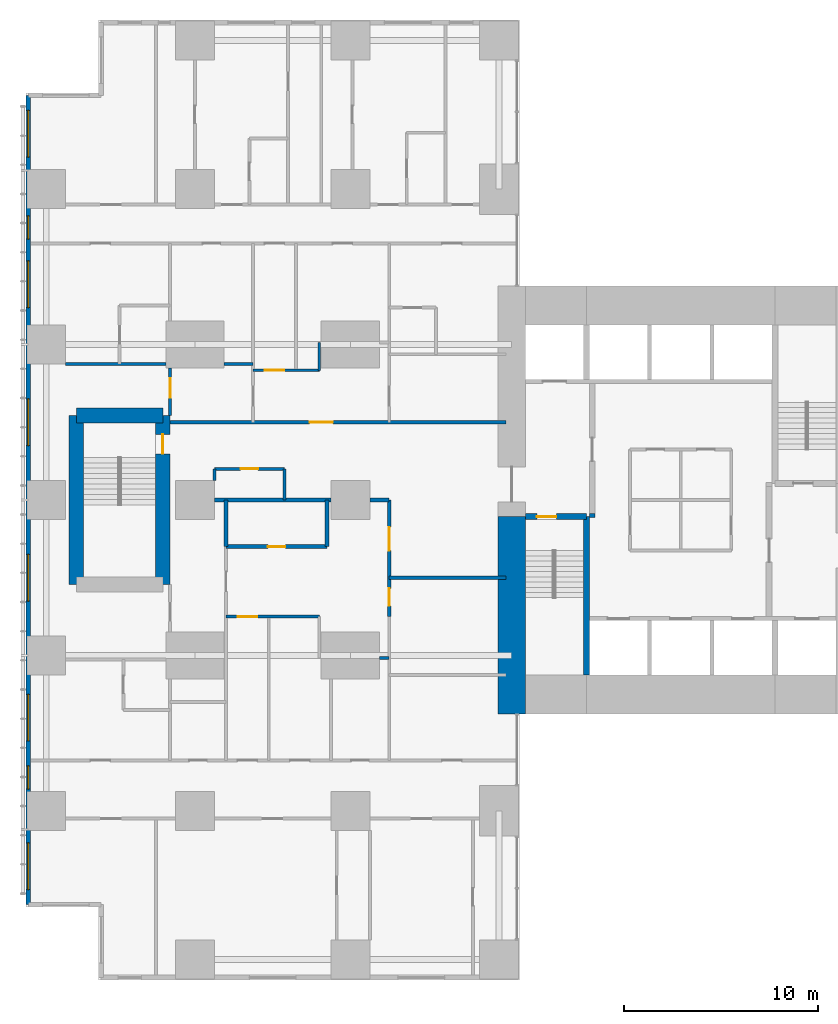
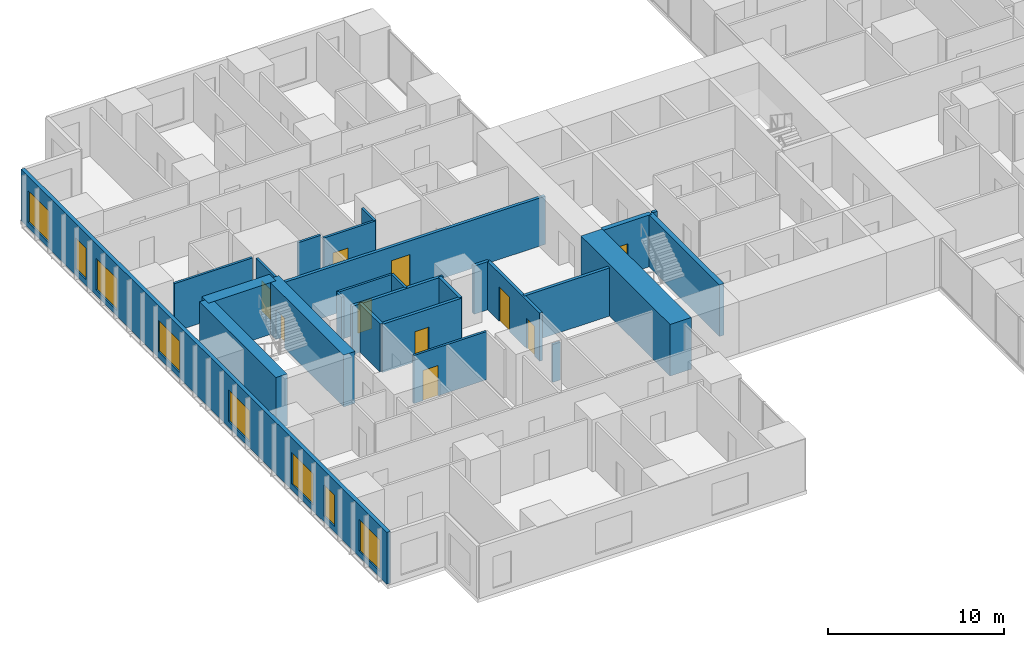
# One storey, part 13 of 20: 26 walls, 10 doors, 8 windows, 18 openings.
"""IFC4 building model written with IfcOpenShell, lengths in metres."""

from ifc_helpers import new_model, si_unit, direction, frame, frame_2d, origin, place, context, subcontext, project, spatial, rectangle, extrude, material, layer, layer_set, type_object, element, fill, save


model = new_model("IFC4")

# Units and contexts
model_context = context("Model", 3, precision=1e-05, world=origin(), true_north=direction((0.0, 1.0)))
body_context = subcontext(model_context, "Body", "Model", "MODEL_VIEW")
ifc_project = project(units=[si_unit("LENGTHUNIT", "METRE"), si_unit("AREAUNIT", "SQUARE_METRE"), si_unit("VOLUMEUNIT", "CUBIC_METRE"), si_unit("PLANEANGLEUNIT", "RADIAN"), si_unit("MASSUNIT", "GRAM", prefix="KILO")], contexts=[model_context])

# Site, building, storey
site_placement = place(None, origin())
site = spatial("IfcSite", under=ifc_project, at=site_placement, CompositionType="ELEMENT")
building_placement = place(site_placement, origin())
building = spatial("IfcBuilding", under=site, at=building_placement, Name="Cleftline Residences", CompositionType="ELEMENT")
storey_placement = place(building_placement, frame((0.0, 0.0, 110.60009765625)))
storey = spatial("IfcBuildingStorey", under=building, at=storey_placement, Name="L28", CompositionType="ELEMENT", Elevation=110.60009765625)

# Walls
ifc_material_1 = material(Name="Concrete B70", Category="concrete")
ifc_layer_1 = layer(ifc_material_1, 1.39990234375)
ifc_layer_set_1 = layer_set([ifc_layer_1], Name="CORE WALL 1400")
wall_type_1 = type_object("IfcWallType", Name="CORE WALL 1400", PredefinedType="SHEAR", material=ifc_layer_set_1)
wall_1_placement = place(storey_placement, frame((24.300048828125, 13.0, 0.0), z_axis=(0.0, 0.0, 1.0), x_axis=(0.0, 1.0, 0.0)))
element("IfcWall", 1, at=wall_1_placement, inside=storey, type_object=wall_type_1, Name="Core wall W0", PredefinedType="SHEAR", context=body_context, shape_type="SweptSolid", body=[
    extrude(rectangle(XDim=10.14990234375, YDim=1.39990234375, at=frame_2d((5.074951171875, 0.0))), origin(), (0.0, 0.0, 1.0), 3.599853515625),
])
ifc_material_2 = material(Name="Concrete B70", Category="concrete")
ifc_layer_2 = layer(ifc_material_2, 0.300048828125)
ifc_layer_set_2 = layer_set([ifc_layer_2], Name="CORE WALL 300")
wall_type_2 = type_object("IfcWallType", Name="CORE WALL 300", PredefinedType="SHEAR", material=ifc_layer_set_2)
wall_2_placement = place(storey_placement, frame((28.14990234375, 15.0, 0.0), z_axis=(0.0, 0.0, 1.0), x_axis=(0.0, 1.0, 0.0)))
element("IfcWall", 2, at=wall_2_placement, inside=storey, type_object=wall_type_2, Name="Core wall SA-E", PredefinedType="SHEAR", context=body_context, shape_type="SweptSolid", body=[
    extrude(rectangle(XDim=8.14990234375, YDim=0.300048828125, at=frame_2d((4.074951171875, 0.0))), origin(), (0.0, 0.0, 1.0), 3.599853515625),
])

# Wall, opening, door
wall_3_placement = place(storey_placement, frame((25.0, 23.14990234375, 0.0), z_axis=(0.0, 0.0, 1.0), x_axis=(1.0, 0.0, 0.0)))
wall_3 = element("IfcWall", 3, at=wall_3_placement, inside=storey, type_object=wall_type_2, Name="Core wall SA-N", PredefinedType="SHEAR", context=body_context, shape_type="SweptSolid", body=[
    extrude(rectangle(XDim=3.14990234375, YDim=0.300048828125, at=frame_2d((1.574951171875, 0.0))), origin(), (0.0, 0.0, 1.0), 3.599853515625),
])
opening_1_placement = place(wall_3_placement, frame((0.60009765625, 0.0, 0.0)))
opening_1 = element("IfcOpeningElement", 4, at=opening_1_placement, cuts=wall_3, Name="Opening D5", PredefinedType="OPENING", context=body_context, shape_type="SweptSolid", body=[
    extrude(rectangle(XDim=1.0, YDim=2.10009765625, at=frame_2d((0.5, 1.050048828125))), frame((0.0, 0.159912109375, 0.0), z_axis=(0.0, -1.0, 0.0), x_axis=(1.0, 0.0, 0.0)), (0.0, 0.0, 1.0), 0.320068359375),
])
ifc_material_3 = material(Name="Steel", Category="steel")
door_type_1 = type_object("IfcDoorType", Name="STAIR DOOR 1000X2100", OperationType="SINGLE_SWING_LEFT", PredefinedType="DOOR", material=ifc_material_3)
door_1_placement = place(opening_1_placement, origin())
door_1 = element("IfcDoor", 5, at=door_1_placement, inside=storey, type_object=door_type_1, Name="Stair A door", OperationType="SINGLE_SWING_RIGHT", OverallHeight=2.10009765625, OverallWidth=1.0, PredefinedType="DOOR", context=body_context, shape_type="SweptSolid", body=[
    extrude(rectangle(XDim=1.0, YDim=2.10009765625, at=frame_2d((0.5, 1.050048828125))), frame((0.0, 0.02490234375, 0.0), z_axis=(0.0, -1.0, 0.0), x_axis=(1.0, 0.0, 0.0)), (0.0, 0.0, 1.0), 0.050048828125),
])
fill(opening_1, door_1)

# Wall, openings, windows
ifc_material_4 = material(Name="Rendered reinforced concrete blockwork", Category="masonry")
ifc_layer_3 = layer(ifc_material_4, 0.25)
ifc_layer_set_3 = layer_set([ifc_layer_3], Name="EXTERNAL WALL 250")
wall_type_3 = type_object("IfcWallType", Name="EXTERNAL WALL 250", PredefinedType="SOLIDWALL", material=ifc_layer_set_3)
wall_4_placement = place(storey_placement, frame((-0.574951171875, 44.824951171875, 0.0), z_axis=(0.0, 0.0, 1.0), x_axis=(0.0, -1.0, 0.0)))
wall_4 = element("IfcWall", 6, at=wall_4_placement, inside=storey, type_object=wall_type_3, Name="External wall", PredefinedType="SOLIDWALL", context=body_context, shape_type="SweptSolid", body=[
    extrude(rectangle(XDim=41.64990234375, YDim=0.25, at=frame_2d((20.824951171875, 0.0))), origin(), (0.0, 0.0, 1.0), 3.599853515625),
])
opening_2_placement = place(wall_4_placement, frame((0.77490234375, 0.0, 0.39990234375)))
opening_2 = element("IfcOpeningElement", 7, at=opening_2_placement, cuts=wall_4, Name="Opening W12", PredefinedType="OPENING", context=body_context, shape_type="SweptSolid", body=[
    extrude(rectangle(XDim=2.39990234375, YDim=2.199951171875, at=frame_2d((1.199951171875, 1.10009765625))), frame((0.0, 0.135009765625, 0.0), z_axis=(0.0, -1.0, 0.0), x_axis=(1.0, 0.0, 0.0)), (0.0, 0.0, 1.0), 0.27001953125),
])
opening_3_placement = place(wall_4_placement, frame((6.199951171875, 0.0, 0.39990234375)))
opening_3 = element("IfcOpeningElement", 8, at=opening_3_placement, cuts=wall_4, Name="Opening W11", PredefinedType="OPENING", context=body_context, shape_type="SweptSolid", body=[
    extrude(rectangle(XDim=1.199951171875, YDim=2.199951171875, at=frame_2d((0.60009765625, 1.10009765625))), frame((0.0, 0.135009765625, 0.0), z_axis=(0.0, -1.0, 0.0), x_axis=(1.0, 0.0, 0.0)), (0.0, 0.0, 1.0), 0.27001953125),
])
opening_4_placement = place(wall_4_placement, frame((8.52490234375, 0.0, 0.39990234375)))
opening_4 = element("IfcOpeningElement", 9, at=opening_4_placement, cuts=wall_4, Name="Opening W12", PredefinedType="OPENING", context=body_context, shape_type="SweptSolid", body=[
    extrude(rectangle(XDim=2.39990234375, YDim=2.199951171875, at=frame_2d((1.199951171875, 1.10009765625))), frame((0.0, 0.135009765625, 0.0), z_axis=(0.0, -1.0, 0.0), x_axis=(1.0, 0.0, 0.0)), (0.0, 0.0, 1.0), 0.27001953125),
])
opening_5_placement = place(wall_4_placement, frame((15.625, 0.0, 0.39990234375)))
opening_5 = element("IfcOpeningElement", 10, at=opening_5_placement, cuts=wall_4, Name="Opening W12", PredefinedType="OPENING", context=body_context, shape_type="SweptSolid", body=[
    extrude(rectangle(XDim=2.39990234375, YDim=2.199951171875, at=frame_2d((1.199951171875, 1.10009765625))), frame((0.0, 0.135009765625, 0.0), z_axis=(0.0, -1.0, 0.0), x_axis=(1.0, 0.0, 0.0)), (0.0, 0.0, 1.0), 0.27001953125),
])
opening_6_placement = place(wall_4_placement, frame((23.625, 0.0, 0.39990234375)))
opening_6 = element("IfcOpeningElement", 11, at=opening_6_placement, cuts=wall_4, Name="Opening W12", PredefinedType="OPENING", context=body_context, shape_type="SweptSolid", body=[
    extrude(rectangle(XDim=2.39990234375, YDim=2.199951171875, at=frame_2d((1.199951171875, 1.10009765625))), frame((0.0, 0.135009765625, 0.0), z_axis=(0.0, -1.0, 0.0), x_axis=(1.0, 0.0, 0.0)), (0.0, 0.0, 1.0), 0.27001953125),
])
opening_7_placement = place(wall_4_placement, frame((30.824951171875, 0.0, 0.39990234375)))
opening_7 = element("IfcOpeningElement", 12, at=opening_7_placement, cuts=wall_4, Name="Opening W12", PredefinedType="OPENING", context=body_context, shape_type="SweptSolid", body=[
    extrude(rectangle(XDim=2.39990234375, YDim=2.199951171875, at=frame_2d((1.199951171875, 1.10009765625))), frame((0.0, 0.135009765625, 0.0), z_axis=(0.0, -1.0, 0.0), x_axis=(1.0, 0.0, 0.0)), (0.0, 0.0, 1.0), 0.27001953125),
])
opening_8_placement = place(wall_4_placement, frame((34.5, 0.0, 0.39990234375)))
opening_8 = element("IfcOpeningElement", 13, at=opening_8_placement, cuts=wall_4, Name="Opening W11", PredefinedType="OPENING", context=body_context, shape_type="SweptSolid", body=[
    extrude(rectangle(XDim=1.199951171875, YDim=2.199951171875, at=frame_2d((0.60009765625, 1.10009765625))), frame((0.0, 0.135009765625, 0.0), z_axis=(0.0, -1.0, 0.0), x_axis=(1.0, 0.0, 0.0)), (0.0, 0.0, 1.0), 0.27001953125),
])
opening_9_placement = place(wall_4_placement, frame((38.47509765625, 0.0, 0.39990234375)))
opening_9 = element("IfcOpeningElement", 14, at=opening_9_placement, cuts=wall_4, Name="Opening W12", PredefinedType="OPENING", context=body_context, shape_type="SweptSolid", body=[
    extrude(rectangle(XDim=2.39990234375, YDim=2.199951171875, at=frame_2d((1.199951171875, 1.10009765625))), frame((0.0, 0.135009765625, 0.0), z_axis=(0.0, -1.0, 0.0), x_axis=(1.0, 0.0, 0.0)), (0.0, 0.0, 1.0), 0.27001953125),
])
ifc_material_5 = material(Name="Aluminium frame, clear double glazing", Category="aluminium")
window_type_1 = type_object("IfcWindowType", Name="WINDOW 1200X2200", PartitioningType="DOUBLE_PANEL_VERTICAL", PredefinedType="WINDOW", material=ifc_material_5)
window_1_placement = place(opening_3_placement, origin())
window_1 = element("IfcWindow", 15, at=window_1_placement, inside=storey, type_object=window_type_1, Name="Window", OverallHeight=2.199951171875, OverallWidth=1.199951171875, PartitioningType="SINGLE_PANEL", PredefinedType="WINDOW", context=body_context, shape_type="SweptSolid", body=[
    extrude(rectangle(XDim=1.199951171875, YDim=2.199951171875, at=frame_2d((0.60009765625, 1.10009765625))), frame((0.0, 0.030029296875, 0.0), z_axis=(0.0, -1.0, 0.0), x_axis=(1.0, 0.0, 0.0)), (0.0, 0.0, 1.0), 0.06005859375),
])
fill(opening_3, window_1)
window_2_placement = place(opening_8_placement, origin())
window_2 = element("IfcWindow", 16, at=window_2_placement, inside=storey, type_object=window_type_1, Name="Window", OverallHeight=2.199951171875, OverallWidth=1.199951171875, PartitioningType="SINGLE_PANEL", PredefinedType="WINDOW", context=body_context, shape_type="SweptSolid", body=[
    extrude(rectangle(XDim=1.199951171875, YDim=2.199951171875, at=frame_2d((0.60009765625, 1.10009765625))), frame((0.0, 0.030029296875, 0.0), z_axis=(0.0, -1.0, 0.0), x_axis=(1.0, 0.0, 0.0)), (0.0, 0.0, 1.0), 0.06005859375),
])
fill(opening_8, window_2)
ifc_material_6 = material(Name="Aluminium frame, clear double glazing", Category="aluminium")
window_type_2 = type_object("IfcWindowType", Name="WINDOW 2400X2200", PartitioningType="DOUBLE_PANEL_VERTICAL", PredefinedType="WINDOW", material=ifc_material_6)
window_3_placement = place(opening_2_placement, origin())
window_3 = element("IfcWindow", 17, at=window_3_placement, inside=storey, type_object=window_type_2, Name="Window", OverallHeight=2.199951171875, OverallWidth=2.39990234375, PartitioningType="SINGLE_PANEL", PredefinedType="WINDOW", context=body_context, shape_type="SweptSolid", body=[
    extrude(rectangle(XDim=2.39990234375, YDim=2.199951171875, at=frame_2d((1.199951171875, 1.10009765625))), frame((0.0, 0.030029296875, 0.0), z_axis=(0.0, -1.0, 0.0), x_axis=(1.0, 0.0, 0.0)), (0.0, 0.0, 1.0), 0.06005859375),
])
fill(opening_2, window_3)
window_4_placement = place(opening_4_placement, origin())
window_4 = element("IfcWindow", 18, at=window_4_placement, inside=storey, type_object=window_type_2, Name="Window", OverallHeight=2.199951171875, OverallWidth=2.39990234375, PartitioningType="SINGLE_PANEL", PredefinedType="WINDOW", context=body_context, shape_type="SweptSolid", body=[
    extrude(rectangle(XDim=2.39990234375, YDim=2.199951171875, at=frame_2d((1.199951171875, 1.10009765625))), frame((0.0, 0.030029296875, 0.0), z_axis=(0.0, -1.0, 0.0), x_axis=(1.0, 0.0, 0.0)), (0.0, 0.0, 1.0), 0.06005859375),
])
fill(opening_4, window_4)
window_5_placement = place(opening_5_placement, origin())
window_5 = element("IfcWindow", 19, at=window_5_placement, inside=storey, type_object=window_type_2, Name="Window", OverallHeight=2.199951171875, OverallWidth=2.39990234375, PartitioningType="SINGLE_PANEL", PredefinedType="WINDOW", context=body_context, shape_type="SweptSolid", body=[
    extrude(rectangle(XDim=2.39990234375, YDim=2.199951171875, at=frame_2d((1.199951171875, 1.10009765625))), frame((0.0, 0.030029296875, 0.0), z_axis=(0.0, -1.0, 0.0), x_axis=(1.0, 0.0, 0.0)), (0.0, 0.0, 1.0), 0.06005859375),
])
fill(opening_5, window_5)
window_6_placement = place(opening_6_placement, origin())
window_6 = element("IfcWindow", 20, at=window_6_placement, inside=storey, type_object=window_type_2, Name="Window", OverallHeight=2.199951171875, OverallWidth=2.39990234375, PartitioningType="SINGLE_PANEL", PredefinedType="WINDOW", context=body_context, shape_type="SweptSolid", body=[
    extrude(rectangle(XDim=2.39990234375, YDim=2.199951171875, at=frame_2d((1.199951171875, 1.10009765625))), frame((0.0, 0.030029296875, 0.0), z_axis=(0.0, -1.0, 0.0), x_axis=(1.0, 0.0, 0.0)), (0.0, 0.0, 1.0), 0.06005859375),
])
fill(opening_6, window_6)
window_7_placement = place(opening_7_placement, origin())
window_7 = element("IfcWindow", 21, at=window_7_placement, inside=storey, type_object=window_type_2, Name="Window", OverallHeight=2.199951171875, OverallWidth=2.39990234375, PartitioningType="SINGLE_PANEL", PredefinedType="WINDOW", context=body_context, shape_type="SweptSolid", body=[
    extrude(rectangle(XDim=2.39990234375, YDim=2.199951171875, at=frame_2d((1.199951171875, 1.10009765625))), frame((0.0, 0.030029296875, 0.0), z_axis=(0.0, -1.0, 0.0), x_axis=(1.0, 0.0, 0.0)), (0.0, 0.0, 1.0), 0.06005859375),
])
fill(opening_7, window_7)
window_8_placement = place(opening_9_placement, origin())
window_8 = element("IfcWindow", 22, at=window_8_placement, inside=storey, type_object=window_type_2, Name="Window", OverallHeight=2.199951171875, OverallWidth=2.39990234375, PartitioningType="SINGLE_PANEL", PredefinedType="WINDOW", context=body_context, shape_type="SweptSolid", body=[
    extrude(rectangle(XDim=2.39990234375, YDim=2.199951171875, at=frame_2d((1.199951171875, 1.10009765625))), frame((0.0, 0.030029296875, 0.0), z_axis=(0.0, -1.0, 0.0), x_axis=(1.0, 0.0, 0.0)), (0.0, 0.0, 1.0), 0.06005859375),
])
fill(opening_9, window_8)

# Wall
ifc_material_7 = material(Name="Concrete blockwork, fire rated", Category="masonry")
ifc_layer_4 = layer(ifc_material_7, 0.199951171875)
ifc_layer_set_4 = layer_set([ifc_layer_4], Name="FIRE WALL 200")
wall_type_4 = type_object("IfcWallType", Name="FIRE WALL 200", PredefinedType="PARTITIONING", material=ifc_layer_set_4)
wall_5_placement = place(storey_placement, frame((18.0, 20.0, 0.0), z_axis=(0.0, 0.0, 1.0), x_axis=(1.0, 0.0, 0.0)))
element("IfcWall", 23, at=wall_5_placement, inside=storey, type_object=wall_type_4, Name="Fire separating wall", PredefinedType="PARTITIONING", context=body_context, shape_type="SweptSolid", body=[
    extrude(rectangle(XDim=6.0, YDim=0.199951171875, at=frame_2d((3.0, 0.0))), origin(), (0.0, 0.0, 1.0), 3.349853515625),
])

# Wall, opening, door
wall_6_placement = place(storey_placement, frame((9.60009765625, 21.60009765625, 0.0), z_axis=(0.0, 0.0, 1.0), x_axis=(1.0, 0.0, 0.0)))
wall_6 = element("IfcWall", 24, at=wall_6_placement, inside=storey, type_object=wall_type_4, Name="Fire separating wall", PredefinedType="PARTITIONING", context=body_context, shape_type="SweptSolid", body=[
    extrude(rectangle(XDim=5.199951171875, YDim=0.199951171875, at=frame_2d((2.60009765625, 0.0))), origin(), (0.0, 0.0, 1.0), 3.349853515625),
])
opening_10_placement = place(wall_6_placement, frame((2.14990234375, 0.0, 0.0)))
opening_10 = element("IfcOpeningElement", 25, at=opening_10_placement, cuts=wall_6, Name="Opening D1F30", PredefinedType="OPENING", context=body_context, shape_type="SweptSolid", body=[
    extrude(rectangle(XDim=0.89990234375, YDim=2.10009765625, at=frame_2d((0.449951171875, 1.050048828125))), frame((0.0, 0.10986328125, 0.0), z_axis=(0.0, -1.0, 0.0), x_axis=(1.0, 0.0, 0.0)), (0.0, 0.0, 1.0), 0.219970703125),
])
ifc_material_8 = material(Name="Timber veneer on solid core", Category="wood")
door_type_2 = type_object("IfcDoorType", Name="DOOR 900X2100 EI 30", OperationType="SINGLE_SWING_LEFT", PredefinedType="DOOR", material=ifc_material_8)
door_2_placement = place(opening_10_placement, origin())
door_2 = element("IfcDoor", 26, at=door_2_placement, inside=storey, type_object=door_type_2, Name="Door to cloakroom wc", OperationType="SINGLE_SWING_LEFT", OverallHeight=2.10009765625, OverallWidth=0.89990234375, PredefinedType="DOOR", context=body_context, shape_type="SweptSolid", body=[
    extrude(rectangle(XDim=0.89990234375, YDim=2.10009765625, at=frame_2d((0.449951171875, 1.050048828125))), frame((0.0, 0.02490234375, 0.0), z_axis=(0.0, -1.0, 0.0), x_axis=(1.0, 0.0, 0.0)), (0.0, 0.0, 1.0), 0.050048828125),
])
fill(opening_10, door_2)

# Walls
wall_7_placement = place(storey_placement, frame((9.0, 24.0, 0.0), z_axis=(0.0, 0.0, 1.0), x_axis=(1.0, 0.0, 0.0)))
element("IfcWall", 27, at=wall_7_placement, inside=storey, type_object=wall_type_4, Name="Fire separating wall", PredefinedType="PARTITIONING", context=body_context, shape_type="SweptSolid", body=[
    extrude(rectangle(XDim=6.0, YDim=0.199951171875, at=frame_2d((3.0, 0.0))), origin(), (0.0, 0.0, 1.0), 3.349853515625),
])
wall_8_placement = place(storey_placement, frame((17.0, 24.0, 0.0), z_axis=(0.0, 0.0, 1.0), x_axis=(1.0, 0.0, 0.0)))
element("IfcWall", 28, at=wall_8_placement, inside=storey, type_object=wall_type_4, Name="Fire separating wall", PredefinedType="PARTITIONING", context=body_context, shape_type="SweptSolid", body=[
    extrude(rectangle(XDim=1.0, YDim=0.199951171875, at=frame_2d((0.5, 0.0))), origin(), (0.0, 0.0, 1.0), 3.349853515625),
])

# Wall, opening, door
wall_9_placement = place(storey_placement, frame((6.72509765625, 28.0, 0.0), z_axis=(0.0, 0.0, 1.0), x_axis=(1.0, 0.0, 0.0)))
wall_9 = element("IfcWall", 29, at=wall_9_placement, inside=storey, type_object=wall_type_4, Name="Fire separating wall", PredefinedType="PARTITIONING", context=body_context, shape_type="SweptSolid", body=[
    extrude(rectangle(XDim=17.27490234375, YDim=0.199951171875, at=frame_2d((8.637451171875, 0.0))), origin(), (0.0, 0.0, 1.0), 3.349853515625),
])
opening_11_placement = place(wall_9_placement, frame((7.175048828125, 0.0, 0.0)))
opening_11 = element("IfcOpeningElement", 30, at=opening_11_placement, cuts=wall_9, Name="Opening D4", PredefinedType="OPENING", context=body_context, shape_type="SweptSolid", body=[
    extrude(rectangle(XDim=1.199951171875, YDim=2.39990234375, at=frame_2d((0.60009765625, 1.199951171875))), frame((0.0, 0.10986328125, 0.0), z_axis=(0.0, -1.0, 0.0), x_axis=(1.0, 0.0, 0.0)), (0.0, 0.0, 1.0), 0.219970703125),
])
ifc_material_9 = material(Name="Timber veneer on solid core", Category="wood")
door_type_3 = type_object("IfcDoorType", Name="APARTMENT ENTRANCE DOOR 1200X2400", OperationType="SINGLE_SWING_RIGHT", PredefinedType="DOOR", material=ifc_material_9)
door_3_placement = place(opening_11_placement, origin())
door_3 = element("IfcDoor", 31, at=door_3_placement, inside=storey, type_object=door_type_3, Name="Door to residence entrance (gallery)", OperationType="SINGLE_SWING_RIGHT", OverallHeight=2.39990234375, OverallWidth=1.199951171875, PredefinedType="DOOR", context=body_context, shape_type="SweptSolid", body=[
    extrude(rectangle(XDim=1.199951171875, YDim=2.39990234375, at=frame_2d((0.60009765625, 1.199951171875))), frame((0.0, 0.02490234375, 0.0), z_axis=(0.0, -1.0, 0.0), x_axis=(1.0, 0.0, 0.0)), (0.0, 0.0, 1.0), 0.050048828125),
])
fill(opening_11, door_3)

# Walls
for number, where, z_axis, x_axis, name in (
    (32, (9.60009765625, 21.60009765625, 0.0), (0.0, 0.0, 1.0), (0.0, 1.0, 0.0), "Fire separating wall"),
    (33, (14.800048828125, 21.60009765625, 0.0), (0.0, 0.0, 1.0), (0.0, 1.0, 0.0), "Fire separating wall"),
):
    element("IfcWall", number, at=place(storey_placement, frame(where, z_axis=z_axis, x_axis=x_axis)), inside=storey, type_object=wall_type_4, Name=name, PredefinedType="PARTITIONING", context=body_context, shape_type="SweptSolid", body=[
        extrude(rectangle(XDim=2.39990234375, YDim=0.199951171875, at=frame_2d((1.199951171875, 0.0))), origin(), (0.0, 0.0, 1.0), 3.349853515625),
    ])

# Wall, openings, doors
wall_10_placement = place(storey_placement, frame((18.0, 18.0, 0.0), z_axis=(0.0, 0.0, 1.0), x_axis=(0.0, 1.0, 0.0)))
wall_10 = element("IfcWall", 34, at=wall_10_placement, inside=storey, type_object=wall_type_4, Name="Fire separating wall", PredefinedType="PARTITIONING", context=body_context, shape_type="SweptSolid", body=[
    extrude(rectangle(XDim=6.0, YDim=0.199951171875, at=frame_2d((3.0, 0.0))), origin(), (0.0, 0.0, 1.0), 3.349853515625),
])
opening_12_placement = place(wall_10_placement, frame((3.39990234375, 0.0, 0.0)))
opening_12 = element("IfcOpeningElement", 35, at=opening_12_placement, cuts=wall_10, Name="Opening D4", PredefinedType="OPENING", context=body_context, shape_type="SweptSolid", body=[
    extrude(rectangle(XDim=1.199951171875, YDim=2.39990234375, at=frame_2d((0.60009765625, 1.199951171875))), frame((0.0, 0.10986328125, 0.0), z_axis=(0.0, -1.0, 0.0), x_axis=(1.0, 0.0, 0.0)), (0.0, 0.0, 1.0), 0.219970703125),
])
opening_13_placement = place(wall_10_placement, frame((0.550048828125, 0.0, 0.0)))
opening_13 = element("IfcOpeningElement", 36, at=opening_13_placement, cuts=wall_10, Name="Opening D1F30", PredefinedType="OPENING", context=body_context, shape_type="SweptSolid", body=[
    extrude(rectangle(XDim=0.89990234375, YDim=2.10009765625, at=frame_2d((0.449951171875, 1.050048828125))), frame((0.0, 0.10986328125, 0.0), z_axis=(0.0, -1.0, 0.0), x_axis=(1.0, 0.0, 0.0)), (0.0, 0.0, 1.0), 0.219970703125),
])
door_4_placement = place(opening_12_placement, origin())
door_4 = element("IfcDoor", 37, at=door_4_placement, inside=storey, type_object=door_type_3, Name="Door to residence entrance foyer", OperationType="SINGLE_SWING_LEFT", OverallHeight=2.39990234375, OverallWidth=1.199951171875, PredefinedType="DOOR", context=body_context, shape_type="SweptSolid", body=[
    extrude(rectangle(XDim=1.199951171875, YDim=2.39990234375, at=frame_2d((0.60009765625, 1.199951171875))), frame((0.0, 0.02490234375, 0.0), z_axis=(0.0, -1.0, 0.0), x_axis=(1.0, 0.0, 0.0)), (0.0, 0.0, 1.0), 0.050048828125),
])
fill(opening_12, door_4)
door_5_placement = place(opening_13_placement, origin())
door_5 = element("IfcDoor", 38, at=door_5_placement, inside=storey, type_object=door_type_2, Name="Door to utility room", OperationType="SINGLE_SWING_RIGHT", OverallHeight=2.10009765625, OverallWidth=0.89990234375, PredefinedType="DOOR", context=body_context, shape_type="SweptSolid", body=[
    extrude(rectangle(XDim=0.89990234375, YDim=2.10009765625, at=frame_2d((0.449951171875, 1.050048828125))), frame((0.0, 0.02490234375, 0.0), z_axis=(0.0, -1.0, 0.0), x_axis=(1.0, 0.0, 0.0)), (0.0, 0.0, 1.0), 0.050048828125),
])
fill(opening_13, door_5)

# Walls
wall_11_placement = place(storey_placement, frame((28.300048828125, 23.199951171875, 0.0), z_axis=(0.0, 0.0, 1.0), x_axis=(1.0, 0.0, 0.0)))
element("IfcWall", 39, at=wall_11_placement, inside=storey, type_object=wall_type_4, Name="Fire separating wall", PredefinedType="PARTITIONING", context=body_context, shape_type="SweptSolid", body=[
    extrude(rectangle(XDim=0.300048828125, YDim=0.199951171875, at=frame_2d((0.14990234375, 0.0))), origin(), (0.0, 0.0, 1.0), 3.599853515625),
])
ifc_material_10 = material(Name="Gypsum board on steel studs", Category="steel")
ifc_layer_5 = layer(ifc_material_10, 0.14990234375)
ifc_layer_set_5 = layer_set([ifc_layer_5], Name="PARTITION 150")
wall_type_5 = type_object("IfcWallType", Name="PARTITION 150", PredefinedType="PARTITIONING", material=ifc_layer_set_5)
wall_12_placement = place(storey_placement, frame((17.5, 15.875, 0.0), z_axis=(0.0, 0.0, 1.0), x_axis=(1.0, 0.0, 0.0)))
element("IfcWall", 40, at=wall_12_placement, inside=storey, type_object=wall_type_5, Name="Partition", PredefinedType="PARTITIONING", context=body_context, shape_type="SweptSolid", body=[
    extrude(rectangle(XDim=0.5, YDim=0.14990234375, at=frame_2d((0.25, 0.0))), origin(), (0.0, 0.0, 1.0), 2.6337890625),
])

# Wall, opening, door
wall_13_placement = place(storey_placement, frame((9.60009765625, 18.0, 0.0), z_axis=(0.0, 0.0, 1.0), x_axis=(1.0, 0.0, 0.0)))
wall_13 = element("IfcWall", 41, at=wall_13_placement, inside=storey, type_object=wall_type_5, Name="Partition", PredefinedType="PARTITIONING", context=body_context, shape_type="SweptSolid", body=[
    extrude(rectangle(XDim=4.7998046875, YDim=0.14990234375, at=frame_2d((2.39990234375, 0.0))), origin(), (0.0, 0.0, 1.0), 3.349853515625),
])
opening_14_placement = place(wall_13_placement, frame((0.60009765625, 0.0, 0.0)))
opening_14 = element("IfcOpeningElement", 42, at=opening_14_placement, cuts=wall_13, Name="Opening D2", PredefinedType="OPENING", context=body_context, shape_type="SweptSolid", body=[
    extrude(rectangle(XDim=1.0, YDim=2.10009765625, at=frame_2d((0.5, 1.050048828125))), frame((0.0, 0.0849609375, 0.0), z_axis=(0.0, -1.0, 0.0), x_axis=(1.0, 0.0, 0.0)), (0.0, 0.0, 1.0), 0.169921875),
])
ifc_material_11 = material(Name="Timber veneer on solid core", Category="wood")
door_type_4 = type_object("IfcDoorType", Name="DOOR 1000X2100", OperationType="SINGLE_SWING_LEFT", PredefinedType="DOOR", material=ifc_material_11)
door_6_placement = place(opening_14_placement, origin())
door_6 = element("IfcDoor", 43, at=door_6_placement, inside=storey, type_object=door_type_4, Name="Door to residence passage", OperationType="SINGLE_SWING_RIGHT", OverallHeight=2.10009765625, OverallWidth=1.0, PredefinedType="DOOR", context=body_context, shape_type="SweptSolid", body=[
    extrude(rectangle(XDim=1.0, YDim=2.10009765625, at=frame_2d((0.5, 1.050048828125))), frame((0.0, 0.02490234375, 0.0), z_axis=(0.0, -1.0, 0.0), x_axis=(1.0, 0.0, 0.0)), (0.0, 0.0, 1.0), 0.050048828125),
])
fill(opening_14, door_6)

wall_14_placement = place(storey_placement, frame((9.0, 25.60009765625, 0.0), z_axis=(0.0, 0.0, 1.0), x_axis=(1.0, 0.0, 0.0)))
wall_14 = element("IfcWall", 44, at=wall_14_placement, inside=storey, type_object=wall_type_5, Name="Partition", PredefinedType="PARTITIONING", context=body_context, shape_type="SweptSolid", body=[
    extrude(rectangle(XDim=3.60009765625, YDim=0.14990234375, at=frame_2d((1.800048828125, 0.0))), origin(), (0.0, 0.0, 1.0), 3.349853515625),
])
opening_15_placement = place(wall_14_placement, frame((1.35009765625, 0.0, 0.0)))
opening_15 = element("IfcOpeningElement", 45, at=opening_15_placement, cuts=wall_14, Name="Opening D1", PredefinedType="OPENING", context=body_context, shape_type="SweptSolid", body=[
    extrude(rectangle(XDim=0.89990234375, YDim=2.10009765625, at=frame_2d((0.449951171875, 1.050048828125))), frame((0.0, 0.0849609375, 0.0), z_axis=(0.0, -1.0, 0.0), x_axis=(1.0, 0.0, 0.0)), (0.0, 0.0, 1.0), 0.169921875),
])
ifc_material_12 = material(Name="Timber veneer on solid core", Category="wood")
door_type_5 = type_object("IfcDoorType", Name="DOOR 900X2100", OperationType="SINGLE_SWING_LEFT", PredefinedType="DOOR", material=ifc_material_12)
door_7_placement = place(opening_15_placement, origin())
door_7 = element("IfcDoor", 46, at=door_7_placement, inside=storey, type_object=door_type_5, Name="Door to residents' storage room", OperationType="SINGLE_SWING_LEFT", OverallHeight=2.10009765625, OverallWidth=0.89990234375, PredefinedType="DOOR", context=body_context, shape_type="SweptSolid", body=[
    extrude(rectangle(XDim=0.89990234375, YDim=2.10009765625, at=frame_2d((0.449951171875, 1.050048828125))), frame((0.0, 0.02490234375, 0.0), z_axis=(0.0, -1.0, 0.0), x_axis=(1.0, 0.0, 0.0)), (0.0, 0.0, 1.0), 0.050048828125),
])
fill(opening_15, door_7)

wall_15_placement = place(storey_placement, frame((11.0, 30.675048828125, 0.0), z_axis=(0.0, 0.0, 1.0), x_axis=(1.0, 0.0, 0.0)))
wall_15 = element("IfcWall", 47, at=wall_15_placement, inside=storey, type_object=wall_type_5, Name="Partition", PredefinedType="PARTITIONING", context=body_context, shape_type="SweptSolid", body=[
    extrude(rectangle(XDim=3.39990234375, YDim=0.14990234375, at=frame_2d((1.699951171875, 0.0))), origin(), (0.0, 0.0, 1.0), 3.349853515625),
])
opening_16_placement = place(wall_15_placement, frame((0.60009765625, 0.0, 0.0)))
opening_16 = element("IfcOpeningElement", 48, at=opening_16_placement, cuts=wall_15, Name="Opening D2", PredefinedType="OPENING", context=body_context, shape_type="SweptSolid", body=[
    extrude(rectangle(XDim=1.0, YDim=2.10009765625, at=frame_2d((0.5, 1.050048828125))), frame((0.0, 0.0849609375, 0.0), z_axis=(0.0, -1.0, 0.0), x_axis=(1.0, 0.0, 0.0)), (0.0, 0.0, 1.0), 0.169921875),
])
door_8_placement = place(opening_16_placement, origin())
door_8 = element("IfcDoor", 49, at=door_8_placement, inside=storey, type_object=door_type_4, Name="Door to residence passage", OperationType="SINGLE_SWING_RIGHT", OverallHeight=2.10009765625, OverallWidth=1.0, PredefinedType="DOOR", context=body_context, shape_type="SweptSolid", body=[
    extrude(rectangle(XDim=1.0, YDim=2.10009765625, at=frame_2d((0.5, 1.050048828125))), frame((0.0, 0.02490234375, 0.0), z_axis=(0.0, -1.0, 0.0), x_axis=(1.0, 0.0, 0.0)), (0.0, 0.0, 1.0), 0.050048828125),
])
fill(opening_16, door_8)

# Walls
wall_16_placement = place(storey_placement, frame((1.35009765625, 31.0, 0.0), z_axis=(0.0, 0.0, 1.0), x_axis=(1.0, 0.0, 0.0)))
element("IfcWall", 50, at=wall_16_placement, inside=storey, type_object=wall_type_5, Name="Partition", PredefinedType="PARTITIONING", context=body_context, shape_type="SweptSolid", body=[
    extrude(rectangle(XDim=5.14990234375, YDim=0.14990234375, at=frame_2d((2.574951171875, 0.0))), origin(), (0.0, 0.0, 1.0), 3.349853515625),
])
wall_17_placement = place(storey_placement, frame((9.5, 31.0, 0.0), z_axis=(0.0, 0.0, 1.0), x_axis=(1.0, 0.0, 0.0)))
element("IfcWall", 51, at=wall_17_placement, inside=storey, type_object=wall_type_5, Name="Partition", PredefinedType="PARTITIONING", context=body_context, shape_type="SweptSolid", body=[
    extrude(rectangle(XDim=1.5, YDim=0.14990234375, at=frame_2d((0.75, 0.0))), origin(), (0.0, 0.0, 1.0), 3.349853515625),
])

# Wall, opening, door
wall_18_placement = place(storey_placement, frame((6.72509765625, 28.35009765625, 0.0), z_axis=(0.0, 0.0, 1.0), x_axis=(0.0, 1.0, 0.0)))
wall_18 = element("IfcWall", 52, at=wall_18_placement, inside=storey, type_object=wall_type_5, Name="Partition", PredefinedType="PARTITIONING", context=body_context, shape_type="SweptSolid", body=[
    extrude(rectangle(XDim=2.449951171875, YDim=0.14990234375, at=frame_2d((1.22509765625, 0.0))), origin(), (0.0, 0.0, 1.0), 3.349853515625),
])
opening_17_placement = place(wall_18_placement, frame((0.91259765625, 0.0, 0.0)))
opening_17 = element("IfcOpeningElement", 53, at=opening_17_placement, cuts=wall_18, Name="Opening D2", PredefinedType="OPENING", context=body_context, shape_type="SweptSolid", body=[
    extrude(rectangle(XDim=1.0, YDim=2.10009765625, at=frame_2d((0.5, 1.050048828125))), frame((0.0, 0.0849609375, 0.0), z_axis=(0.0, -1.0, 0.0), x_axis=(1.0, 0.0, 0.0)), (0.0, 0.0, 1.0), 0.169921875),
])
door_9_placement = place(opening_17_placement, origin())
door_9 = element("IfcDoor", 54, at=door_9_placement, inside=storey, type_object=door_type_4, Name="Door to altar room", OperationType="SINGLE_SWING_LEFT", OverallHeight=2.10009765625, OverallWidth=1.0, PredefinedType="DOOR", context=body_context, shape_type="SweptSolid", body=[
    extrude(rectangle(XDim=1.0, YDim=2.10009765625, at=frame_2d((0.5, 1.050048828125))), frame((0.0, 0.02490234375, 0.0), z_axis=(0.0, -1.0, 0.0), x_axis=(1.0, 0.0, 0.0)), (0.0, 0.0, 1.0), 0.050048828125),
])
fill(opening_17, door_9)

# Walls
wall_19_placement = place(storey_placement, frame((9.0, 25.0, 0.0), z_axis=(0.0, 0.0, 1.0), x_axis=(0.0, 1.0, 0.0)))
element("IfcWall", 55, at=wall_19_placement, inside=storey, type_object=wall_type_5, Name="Partition", PredefinedType="PARTITIONING", context=body_context, shape_type="SweptSolid", body=[
    extrude(rectangle(XDim=0.60009765625, YDim=0.14990234375, at=frame_2d((0.300048828125, 0.0))), origin(), (0.0, 0.0, 1.0), 3.349853515625),
])
wall_20_placement = place(storey_placement, frame((12.60009765625, 24.0, 0.0), z_axis=(0.0, 0.0, 1.0), x_axis=(0.0, 1.0, 0.0)))
element("IfcWall", 56, at=wall_20_placement, inside=storey, type_object=wall_type_5, Name="Partition", PredefinedType="PARTITIONING", context=body_context, shape_type="SweptSolid", body=[
    extrude(rectangle(XDim=1.60009765625, YDim=0.14990234375, at=frame_2d((0.800048828125, 0.0))), origin(), (0.0, 0.0, 1.0), 3.349853515625),
])
wall_21_placement = place(storey_placement, frame((14.39990234375, 30.675048828125, 0.0), z_axis=(0.0, 0.0, 1.0), x_axis=(0.0, 1.0, 0.0)))
element("IfcWall", 57, at=wall_21_placement, inside=storey, type_object=wall_type_5, Name="Partition", PredefinedType="PARTITIONING", context=body_context, shape_type="SweptSolid", body=[
    extrude(rectangle(XDim=1.425048828125, YDim=0.14990234375, at=frame_2d((0.71240234375, 0.0))), origin(), (0.0, 0.0, 1.0), 3.349853515625),
])

# Wall, opening, door
ifc_material_13 = material(Name="Concrete B70", Category="concrete")
ifc_layer_6 = layer(ifc_material_13, 0.75)
ifc_layer_set_6 = layer_set([ifc_layer_6], Name="SHEAR WALL 750")
wall_type_6 = type_object("IfcWallType", Name="SHEAR WALL 750", PredefinedType="SHEAR", material=ifc_layer_set_6)
wall_22_placement = place(storey_placement, frame((6.35009765625, 19.64990234375, 0.0), z_axis=(0.0, 0.0, 1.0), x_axis=(0.0, 1.0, 0.0)))
wall_22 = element("IfcWall", 58, at=wall_22_placement, inside=storey, type_object=wall_type_6, Name="Wing shear wall", PredefinedType="SHEAR", context=body_context, shape_type="SweptSolid", body=[
    extrude(rectangle(XDim=8.7001953125, YDim=0.75, at=frame_2d((4.35009765625, 0.0))), origin(), (0.0, 0.0, 1.0), 3.599853515625),
])
opening_18_placement = place(wall_22_placement, frame((6.72509765625, 0.0, 0.0)))
opening_18 = element("IfcOpeningElement", 59, at=opening_18_placement, cuts=wall_22, Name="Opening D5", PredefinedType="OPENING", context=body_context, shape_type="SweptSolid", body=[
    extrude(rectangle(XDim=1.0, YDim=2.10009765625, at=frame_2d((0.5, 1.050048828125))), frame((0.0, 0.385009765625, 0.0), z_axis=(0.0, -1.0, 0.0), x_axis=(1.0, 0.0, 0.0)), (0.0, 0.0, 1.0), 0.77001953125),
])
door_10_placement = place(opening_18_placement, origin())
door_10 = element("IfcDoor", 60, at=door_10_placement, inside=storey, type_object=door_type_1, Name="Stair W door", OperationType="SINGLE_SWING_LEFT", OverallHeight=2.10009765625, OverallWidth=1.0, PredefinedType="DOOR", context=body_context, shape_type="SweptSolid", body=[
    extrude(rectangle(XDim=1.0, YDim=2.10009765625, at=frame_2d((0.5, 1.050048828125))), frame((0.0, 0.02490234375, 0.0), z_axis=(0.0, -1.0, 0.0), x_axis=(1.0, 0.0, 0.0)), (0.0, 0.0, 1.0), 0.050048828125),
])
fill(opening_18, door_10)

# Walls
wall_23_placement = place(storey_placement, frame((6.35009765625, 28.35009765625, 0.0), z_axis=(0.0, 0.0, 1.0), x_axis=(-1.0, 0.0, 0.0)))
element("IfcWall", 61, at=wall_23_placement, inside=storey, type_object=wall_type_6, Name="Wing shear wall", PredefinedType="SHEAR", context=body_context, shape_type="SweptSolid", body=[
    extrude(rectangle(XDim=4.4501953125, YDim=0.75, at=frame_2d((2.22509765625, 0.0))), origin(), (0.0, 0.0, 1.0), 3.599853515625),
])
wall_24_placement = place(storey_placement, frame((1.89990234375, 28.35009765625, 0.0), z_axis=(0.0, 0.0, 1.0), x_axis=(0.0, -1.0, 0.0)))
element("IfcWall", 62, at=wall_24_placement, inside=storey, type_object=wall_type_6, Name="Wing shear wall", PredefinedType="SHEAR", context=body_context, shape_type="SweptSolid", body=[
    extrude(rectangle(XDim=8.7001953125, YDim=0.75, at=frame_2d((4.35009765625, 0.0))), origin(), (0.0, 0.0, 1.0), 3.599853515625),
])

save(model, "model.ifc")
